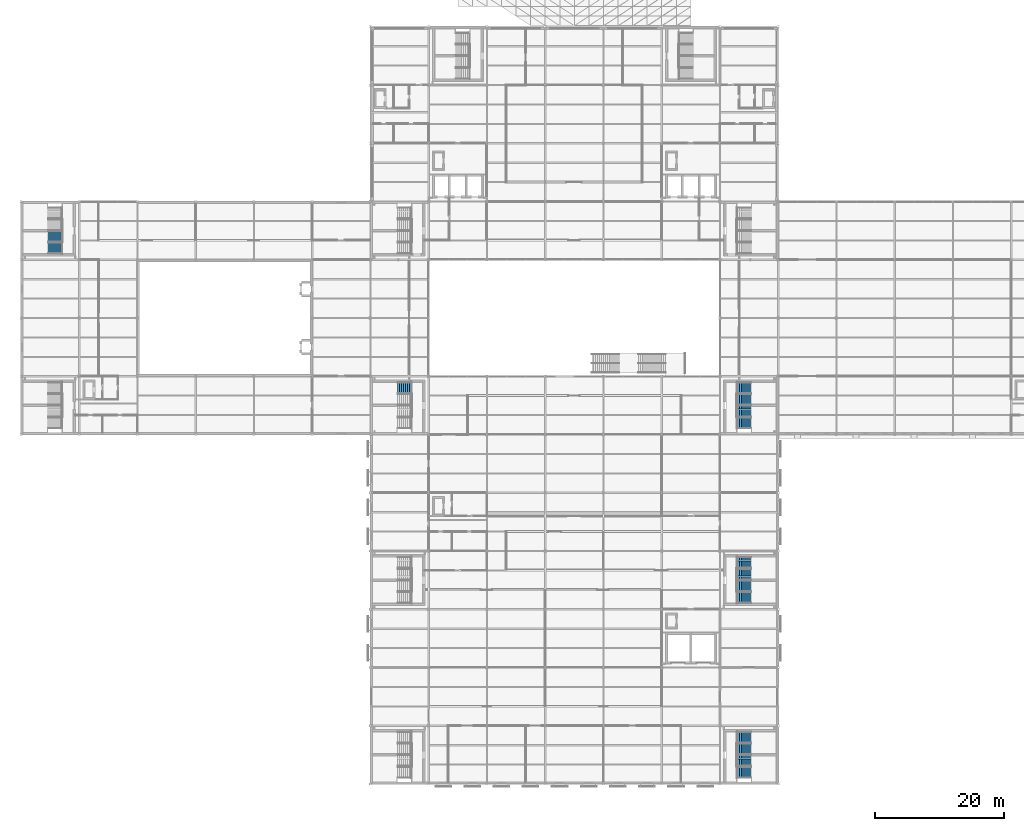
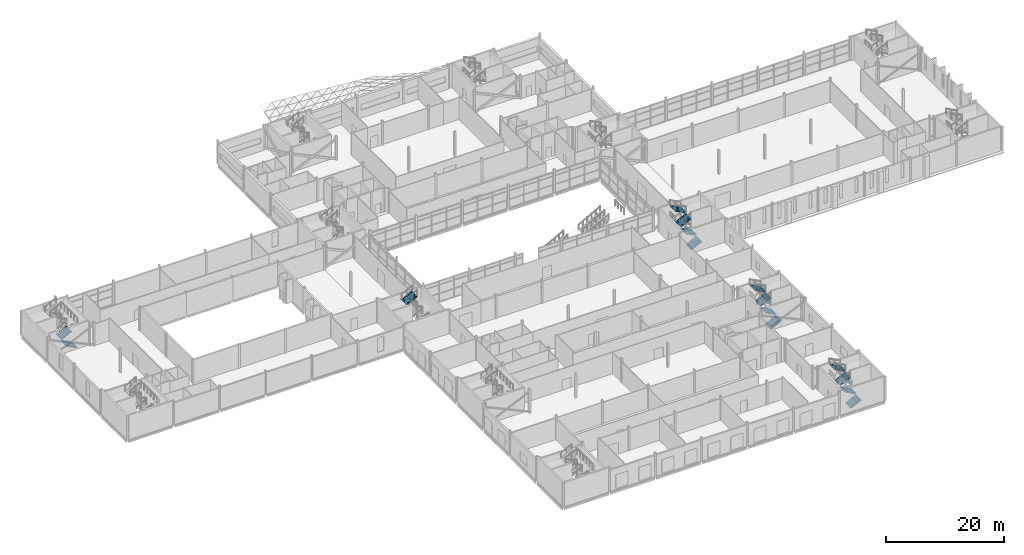
# One storey, part 91 of 112: 15 stair flights, 5 elements without a shape of their own.
"""IFC4 building model written with IfcOpenShell, lengths in metres."""

from ifc_helpers import new_model, si_unit, direction, frame, origin, place, context, subcontext, project, spatial, polyline, outline, extrude, material, type_object, element, aggregate, save


model = new_model("IFC4")

# Units and contexts
model_context = context("Model", 3, precision=1e-05, world=origin(), true_north=direction((0.0, 1.0)))
body_context = subcontext(model_context, "Body", "Model", "MODEL_VIEW")
ifc_project = project(units=[si_unit("LENGTHUNIT", "METRE"), si_unit("AREAUNIT", "SQUARE_METRE"), si_unit("VOLUMEUNIT", "CUBIC_METRE"), si_unit("PLANEANGLEUNIT", "RADIAN"), si_unit("MASSUNIT", "GRAM", prefix="KILO")], contexts=[model_context])

# Site, building, storey
site_placement = place(None, origin())
site = spatial("IfcSite", under=ifc_project, at=site_placement, CompositionType="ELEMENT")
building_placement = place(site_placement, origin())
building = spatial("IfcBuilding", under=site, at=building_placement, Name="Shorebreak Coast Museum", CompositionType="ELEMENT")
storey_placement = place(building_placement, frame((0.0, 0.0, 6.0)))
storey = spatial("IfcBuildingStorey", under=building, at=storey_placement, Name="L01", CompositionType="ELEMENT", Elevation=6.0)

# Stair, stair flight
ifc_material_1 = material(Name="Concrete N40 (40 MPa)", Category="concrete")
stair_type = type_object("IfcStairType", Name="Stair run 5 m", PredefinedType="DOUBLE_RETURN_STAIR", material=ifc_material_1)
stair_1_placement = place(storey_placement, origin())
stair_1 = element("IfcStair", 1, at=stair_1_placement, inside=storey, type_object=stair_type, Name="Exit stair ST01-L01", PredefinedType="DOUBLE_RETURN_STAIR")
ifc_material_2 = material(Name="Concrete N40 (40 MPa)", Category="concrete")
stair_flight_type = type_object("IfcStairFlightType", Name="Stair flight 8 risers 156.25", PredefinedType="STRAIGHT", material=ifc_material_2)
stair_flight_1_placement = place(storey_placement, frame((58.199951171875, 61.199951171875, 3.75), z_axis=(0.0, 0.0, 1.0), x_axis=(1.0, 0.0, 0.0)))
stair_flight_1 = element("IfcStairFlight", 2, at=stair_flight_1_placement, type_object=stair_flight_type, Name="ST01-L01 flight 4", NumberOfRisers=8, NumberOfTreads=7, PredefinedType="STRAIGHT", RiserHeight=0.15625, TreadLength=0.3, context=body_context, shape_type="SweptSolid", body=[
    extrude(outline(polyline([(0.0, 0.0), (0.0, 0.15625), (0.300048828125, 0.15625), (0.300048828125, 0.3125), (0.60009765625, 0.3125), (0.60009765625, 0.46875), (0.89990234375, 0.46875), (0.89990234375, 0.625), (1.199951171875, 0.625), (1.199951171875, 0.78125), (1.5, 0.78125), (1.5, 0.9375), (1.800048828125, 0.9375), (1.800048828125, 1.09375), (2.10009765625, 1.09375), (2.10009765625, 1.25), (2.10009765625, 0.9248046875), (0.324462890625, 0.0), (0.0, 0.0)])), frame((0.0, 0.89990234375, 0.0), z_axis=(0.0, -1.0, 0.0), x_axis=(1.0, 0.0, 0.0)), (0.0, 0.0, 1.0), 0.59326171875),
    extrude(outline(polyline([(0.0, 0.0), (0.0, 0.15625), (0.300048828125, 0.15625), (0.300048828125, 0.3125), (0.60009765625, 0.3125), (0.60009765625, 0.46875), (0.89990234375, 0.46875), (0.89990234375, 0.625), (1.199951171875, 0.625), (1.199951171875, 0.78125), (1.5, 0.78125), (1.5, 0.9375), (1.800048828125, 0.9375), (1.800048828125, 1.09375), (2.10009765625, 1.09375), (2.10009765625, 1.25), (2.10009765625, 0.9248046875), (0.324462890625, 0.0), (0.0, 0.0)])), frame((0.0, 0.296630859375, 0.0), z_axis=(0.0, -1.0, 0.0), x_axis=(1.0, 0.0, 0.0)), (0.0, 0.0, 1.0), 0.59326171875),
    extrude(outline(polyline([(0.0, 0.0), (0.0, 0.15625), (0.300048828125, 0.15625), (0.300048828125, 0.3125), (0.60009765625, 0.3125), (0.60009765625, 0.46875), (0.89990234375, 0.46875), (0.89990234375, 0.625), (1.199951171875, 0.625), (1.199951171875, 0.78125), (1.5, 0.78125), (1.5, 0.9375), (1.800048828125, 0.9375), (1.800048828125, 1.09375), (2.10009765625, 1.09375), (2.10009765625, 1.25), (2.10009765625, 0.9248046875), (0.324462890625, 0.0), (0.0, 0.0)])), frame((0.0, -0.306640625, 0.0), z_axis=(0.0, -1.0, 0.0), x_axis=(1.0, 0.0, 0.0)), (0.0, 0.0, 1.0), 0.59326171875),
])
aggregate(stair_1, [stair_flight_1])

# Stair, stair flights
stair_2_placement = place(storey_placement, origin())
stair_2 = element("IfcStair", 3, at=stair_2_placement, inside=storey, type_object=stair_type, Name="Exit stair ST02-L01", PredefinedType="DOUBLE_RETURN_STAIR")
stair_flight_2_placement = place(storey_placement, frame((110.699951171875, 55.800048828125, 0.0), z_axis=(0.0, 0.0, 1.0), x_axis=(1.0, 0.0, 0.0)))
stair_flight_2 = element("IfcStairFlight", 4, at=stair_flight_2_placement, type_object=stair_flight_type, Name="ST02-L01 flight 1", NumberOfRisers=8, NumberOfTreads=7, PredefinedType="STRAIGHT", RiserHeight=0.15625, TreadLength=0.3, context=body_context, shape_type="SweptSolid", body=[
    extrude(outline(polyline([(0.0, 0.0), (0.0, 0.15625), (0.300048828125, 0.15625), (0.300048828125, 0.3125), (0.60009765625, 0.3125), (0.60009765625, 0.46875), (0.89990234375, 0.46875), (0.89990234375, 0.625), (1.199951171875, 0.625), (1.199951171875, 0.78125), (1.5, 0.78125), (1.5, 0.9375), (1.800048828125, 0.9375), (1.800048828125, 1.09375), (2.10009765625, 1.09375), (2.10009765625, 1.25), (2.10009765625, 0.9248046875), (0.324462890625, 0.0), (0.0, 0.0)])), frame((0.0, 0.89990234375, 0.0), z_axis=(0.0, -1.0, 0.0), x_axis=(1.0, 0.0, 0.0)), (0.0, 0.0, 1.0), 0.59326171875),
    extrude(outline(polyline([(0.0, 0.0), (0.0, 0.15625), (0.300048828125, 0.15625), (0.300048828125, 0.3125), (0.60009765625, 0.3125), (0.60009765625, 0.46875), (0.89990234375, 0.46875), (0.89990234375, 0.625), (1.199951171875, 0.625), (1.199951171875, 0.78125), (1.5, 0.78125), (1.5, 0.9375), (1.800048828125, 0.9375), (1.800048828125, 1.09375), (2.10009765625, 1.09375), (2.10009765625, 1.25), (2.10009765625, 0.9248046875), (0.324462890625, 0.0), (0.0, 0.0)])), frame((0.0, 0.296630859375, 0.0), z_axis=(0.0, -1.0, 0.0), x_axis=(1.0, 0.0, 0.0)), (0.0, 0.0, 1.0), 0.59326171875),
    extrude(outline(polyline([(0.0, 0.0), (0.0, 0.15625), (0.300048828125, 0.15625), (0.300048828125, 0.3125), (0.60009765625, 0.3125), (0.60009765625, 0.46875), (0.89990234375, 0.46875), (0.89990234375, 0.625), (1.199951171875, 0.625), (1.199951171875, 0.78125), (1.5, 0.78125), (1.5, 0.9375), (1.800048828125, 0.9375), (1.800048828125, 1.09375), (2.10009765625, 1.09375), (2.10009765625, 1.25), (2.10009765625, 0.9248046875), (0.324462890625, 0.0), (0.0, 0.0)])), frame((0.0, -0.306640625, 0.0), z_axis=(0.0, -1.0, 0.0), x_axis=(1.0, 0.0, 0.0)), (0.0, 0.0, 1.0), 0.59326171875),
])
stair_flight_3_placement = place(storey_placement, frame((112.800048828125, 57.60009765625, 1.25), z_axis=(0.0, 0.0, 1.0), x_axis=(-1.0, 0.0, 0.0)))
stair_flight_3 = element("IfcStairFlight", 5, at=stair_flight_3_placement, type_object=stair_flight_type, Name="ST02-L01 flight 2", NumberOfRisers=8, NumberOfTreads=7, PredefinedType="STRAIGHT", RiserHeight=0.15625, TreadLength=0.3, context=body_context, shape_type="SweptSolid", body=[
    extrude(outline(polyline([(0.0, 0.0), (0.0, 0.15625), (0.300048828125, 0.15625), (0.300048828125, 0.3125), (0.60009765625, 0.3125), (0.60009765625, 0.46875), (0.89990234375, 0.46875), (0.89990234375, 0.625), (1.199951171875, 0.625), (1.199951171875, 0.78125), (1.5, 0.78125), (1.5, 0.9375), (1.800048828125, 0.9375), (1.800048828125, 1.09375), (2.10009765625, 1.09375), (2.10009765625, 1.25), (2.10009765625, 0.9248046875), (0.324462890625, 0.0), (0.0, 0.0)])), frame((0.0, 0.89990234375, 0.0), z_axis=(0.0, -1.0, 0.0), x_axis=(1.0, 0.0, 0.0)), (0.0, 0.0, 1.0), 0.59326171875),
    extrude(outline(polyline([(0.0, 0.0), (0.0, 0.15625), (0.300048828125, 0.15625), (0.300048828125, 0.3125), (0.60009765625, 0.3125), (0.60009765625, 0.46875), (0.89990234375, 0.46875), (0.89990234375, 0.625), (1.199951171875, 0.625), (1.199951171875, 0.78125), (1.5, 0.78125), (1.5, 0.9375), (1.800048828125, 0.9375), (1.800048828125, 1.09375), (2.10009765625, 1.09375), (2.10009765625, 1.25), (2.10009765625, 0.9248046875), (0.324462890625, 0.0), (0.0, 0.0)])), frame((0.0, 0.296630859375, 0.0), z_axis=(0.0, -1.0, 0.0), x_axis=(1.0, 0.0, 0.0)), (0.0, 0.0, 1.0), 0.59326171875),
    extrude(outline(polyline([(0.0, 0.0), (0.0, 0.15625), (0.300048828125, 0.15625), (0.300048828125, 0.3125), (0.60009765625, 0.3125), (0.60009765625, 0.46875), (0.89990234375, 0.46875), (0.89990234375, 0.625), (1.199951171875, 0.625), (1.199951171875, 0.78125), (1.5, 0.78125), (1.5, 0.9375), (1.800048828125, 0.9375), (1.800048828125, 1.09375), (2.10009765625, 1.09375), (2.10009765625, 1.25), (2.10009765625, 0.9248046875), (0.324462890625, 0.0), (0.0, 0.0)])), frame((0.0, -0.306640625, 0.0), z_axis=(0.0, -1.0, 0.0), x_axis=(1.0, 0.0, 0.0)), (0.0, 0.0, 1.0), 0.59326171875),
])
stair_flight_4_placement = place(storey_placement, frame((110.699951171875, 59.39990234375, 2.5), z_axis=(0.0, 0.0, 1.0), x_axis=(1.0, 0.0, 0.0)))
stair_flight_4 = element("IfcStairFlight", 6, at=stair_flight_4_placement, type_object=stair_flight_type, Name="ST02-L01 flight 3", NumberOfRisers=8, NumberOfTreads=7, PredefinedType="STRAIGHT", RiserHeight=0.15625, TreadLength=0.3, context=body_context, shape_type="SweptSolid", body=[
    extrude(outline(polyline([(0.0, 0.0), (0.0, 0.15625), (0.300048828125, 0.15625), (0.300048828125, 0.3125), (0.60009765625, 0.3125), (0.60009765625, 0.46875), (0.89990234375, 0.46875), (0.89990234375, 0.625), (1.199951171875, 0.625), (1.199951171875, 0.78125), (1.5, 0.78125), (1.5, 0.9375), (1.800048828125, 0.9375), (1.800048828125, 1.09375), (2.10009765625, 1.09375), (2.10009765625, 1.25), (2.10009765625, 0.9248046875), (0.324462890625, 0.0), (0.0, 0.0)])), frame((0.0, 0.89990234375, 0.0), z_axis=(0.0, -1.0, 0.0), x_axis=(1.0, 0.0, 0.0)), (0.0, 0.0, 1.0), 0.59326171875),
    extrude(outline(polyline([(0.0, 0.0), (0.0, 0.15625), (0.300048828125, 0.15625), (0.300048828125, 0.3125), (0.60009765625, 0.3125), (0.60009765625, 0.46875), (0.89990234375, 0.46875), (0.89990234375, 0.625), (1.199951171875, 0.625), (1.199951171875, 0.78125), (1.5, 0.78125), (1.5, 0.9375), (1.800048828125, 0.9375), (1.800048828125, 1.09375), (2.10009765625, 1.09375), (2.10009765625, 1.25), (2.10009765625, 0.9248046875), (0.324462890625, 0.0), (0.0, 0.0)])), frame((0.0, 0.296630859375, 0.0), z_axis=(0.0, -1.0, 0.0), x_axis=(1.0, 0.0, 0.0)), (0.0, 0.0, 1.0), 0.59326171875),
    extrude(outline(polyline([(0.0, 0.0), (0.0, 0.15625), (0.300048828125, 0.15625), (0.300048828125, 0.3125), (0.60009765625, 0.3125), (0.60009765625, 0.46875), (0.89990234375, 0.46875), (0.89990234375, 0.625), (1.199951171875, 0.625), (1.199951171875, 0.78125), (1.5, 0.78125), (1.5, 0.9375), (1.800048828125, 0.9375), (1.800048828125, 1.09375), (2.10009765625, 1.09375), (2.10009765625, 1.25), (2.10009765625, 0.9248046875), (0.324462890625, 0.0), (0.0, 0.0)])), frame((0.0, -0.306640625, 0.0), z_axis=(0.0, -1.0, 0.0), x_axis=(1.0, 0.0, 0.0)), (0.0, 0.0, 1.0), 0.59326171875),
])
stair_flight_5_placement = place(storey_placement, frame((112.800048828125, 61.199951171875, 3.75), z_axis=(0.0, 0.0, 1.0), x_axis=(-1.0, 0.0, 0.0)))
stair_flight_5 = element("IfcStairFlight", 7, at=stair_flight_5_placement, type_object=stair_flight_type, Name="ST02-L01 flight 4", NumberOfRisers=8, NumberOfTreads=7, PredefinedType="STRAIGHT", RiserHeight=0.15625, TreadLength=0.3, context=body_context, shape_type="SweptSolid", body=[
    extrude(outline(polyline([(0.0, 0.0), (0.0, 0.15625), (0.300048828125, 0.15625), (0.300048828125, 0.3125), (0.60009765625, 0.3125), (0.60009765625, 0.46875), (0.89990234375, 0.46875), (0.89990234375, 0.625), (1.199951171875, 0.625), (1.199951171875, 0.78125), (1.5, 0.78125), (1.5, 0.9375), (1.800048828125, 0.9375), (1.800048828125, 1.09375), (2.10009765625, 1.09375), (2.10009765625, 1.25), (2.10009765625, 0.9248046875), (0.324462890625, 0.0), (0.0, 0.0)])), frame((0.0, 0.89990234375, 0.0), z_axis=(0.0, -1.0, 0.0), x_axis=(1.0, 0.0, 0.0)), (0.0, 0.0, 1.0), 0.59326171875),
    extrude(outline(polyline([(0.0, 0.0), (0.0, 0.15625), (0.300048828125, 0.15625), (0.300048828125, 0.3125), (0.60009765625, 0.3125), (0.60009765625, 0.46875), (0.89990234375, 0.46875), (0.89990234375, 0.625), (1.199951171875, 0.625), (1.199951171875, 0.78125), (1.5, 0.78125), (1.5, 0.9375), (1.800048828125, 0.9375), (1.800048828125, 1.09375), (2.10009765625, 1.09375), (2.10009765625, 1.25), (2.10009765625, 0.9248046875), (0.324462890625, 0.0), (0.0, 0.0)])), frame((0.0, 0.296630859375, 0.0), z_axis=(0.0, -1.0, 0.0), x_axis=(1.0, 0.0, 0.0)), (0.0, 0.0, 1.0), 0.59326171875),
    extrude(outline(polyline([(0.0, 0.0), (0.0, 0.15625), (0.300048828125, 0.15625), (0.300048828125, 0.3125), (0.60009765625, 0.3125), (0.60009765625, 0.46875), (0.89990234375, 0.46875), (0.89990234375, 0.625), (1.199951171875, 0.625), (1.199951171875, 0.78125), (1.5, 0.78125), (1.5, 0.9375), (1.800048828125, 0.9375), (1.800048828125, 1.09375), (2.10009765625, 1.09375), (2.10009765625, 1.25), (2.10009765625, 0.9248046875), (0.324462890625, 0.0), (0.0, 0.0)])), frame((0.0, -0.306640625, 0.0), z_axis=(0.0, -1.0, 0.0), x_axis=(1.0, 0.0, 0.0)), (0.0, 0.0, 1.0), 0.59326171875),
])
aggregate(stair_2, [stair_flight_2, stair_flight_3, stair_flight_4, stair_flight_5])

stair_3_placement = place(storey_placement, origin())
stair_3 = element("IfcStair", 8, at=stair_3_placement, inside=storey, type_object=stair_type, Name="Exit stair ST06-L01", PredefinedType="DOUBLE_RETURN_STAIR")
stair_flight_6_placement = place(storey_placement, frame((6.300048828125, 82.800048828125, 0.0), z_axis=(0.0, 0.0, 1.0), x_axis=(-1.0, 0.0, 0.0)))
stair_flight_6 = element("IfcStairFlight", 9, at=stair_flight_6_placement, type_object=stair_flight_type, Name="ST06-L01 flight 1", NumberOfRisers=8, NumberOfTreads=7, PredefinedType="STRAIGHT", RiserHeight=0.15625, TreadLength=0.3, context=body_context, shape_type="SweptSolid", body=[
    extrude(outline(polyline([(0.0, 0.0), (0.0, 0.15625), (0.300048828125, 0.15625), (0.300048828125, 0.3125), (0.60009765625, 0.3125), (0.60009765625, 0.46875), (0.89990234375, 0.46875), (0.89990234375, 0.625), (1.199951171875, 0.625), (1.199951171875, 0.78125), (1.5, 0.78125), (1.5, 0.9375), (1.800048828125, 0.9375), (1.800048828125, 1.09375), (2.10009765625, 1.09375), (2.10009765625, 1.25), (2.10009765625, 0.9248046875), (0.324462890625, 0.0), (0.0, 0.0)])), frame((0.0, 0.89990234375, 0.0), z_axis=(0.0, -1.0, 0.0), x_axis=(1.0, 0.0, 0.0)), (0.0, 0.0, 1.0), 0.59326171875),
    extrude(outline(polyline([(0.0, 0.0), (0.0, 0.15625), (0.300048828125, 0.15625), (0.300048828125, 0.3125), (0.60009765625, 0.3125), (0.60009765625, 0.46875), (0.89990234375, 0.46875), (0.89990234375, 0.625), (1.199951171875, 0.625), (1.199951171875, 0.78125), (1.5, 0.78125), (1.5, 0.9375), (1.800048828125, 0.9375), (1.800048828125, 1.09375), (2.10009765625, 1.09375), (2.10009765625, 1.25), (2.10009765625, 0.9248046875), (0.324462890625, 0.0), (0.0, 0.0)])), frame((0.0, 0.296630859375, 0.0), z_axis=(0.0, -1.0, 0.0), x_axis=(1.0, 0.0, 0.0)), (0.0, 0.0, 1.0), 0.59326171875),
    extrude(outline(polyline([(0.0, 0.0), (0.0, 0.15625), (0.300048828125, 0.15625), (0.300048828125, 0.3125), (0.60009765625, 0.3125), (0.60009765625, 0.46875), (0.89990234375, 0.46875), (0.89990234375, 0.625), (1.199951171875, 0.625), (1.199951171875, 0.78125), (1.5, 0.78125), (1.5, 0.9375), (1.800048828125, 0.9375), (1.800048828125, 1.09375), (2.10009765625, 1.09375), (2.10009765625, 1.25), (2.10009765625, 0.9248046875), (0.324462890625, 0.0), (0.0, 0.0)])), frame((0.0, -0.306640625, 0.0), z_axis=(0.0, -1.0, 0.0), x_axis=(1.0, 0.0, 0.0)), (0.0, 0.0, 1.0), 0.59326171875),
])
stair_flight_7_placement = place(storey_placement, frame((4.199951171875, 84.60009765625, 1.25), z_axis=(0.0, 0.0, 1.0), x_axis=(1.0, 0.0, 0.0)))
stair_flight_7 = element("IfcStairFlight", 10, at=stair_flight_7_placement, type_object=stair_flight_type, Name="ST06-L01 flight 2", NumberOfRisers=8, NumberOfTreads=7, PredefinedType="STRAIGHT", RiserHeight=0.15625, TreadLength=0.3, context=body_context, shape_type="SweptSolid", body=[
    extrude(outline(polyline([(0.0, 0.0), (0.0, 0.15625), (0.300048828125, 0.15625), (0.300048828125, 0.3125), (0.60009765625, 0.3125), (0.60009765625, 0.46875), (0.89990234375, 0.46875), (0.89990234375, 0.625), (1.199951171875, 0.625), (1.199951171875, 0.78125), (1.5, 0.78125), (1.5, 0.9375), (1.800048828125, 0.9375), (1.800048828125, 1.09375), (2.10009765625, 1.09375), (2.10009765625, 1.25), (2.10009765625, 0.9248046875), (0.324462890625, 0.0), (0.0, 0.0)])), frame((0.0, 0.89990234375, 0.0), z_axis=(0.0, -1.0, 0.0), x_axis=(1.0, 0.0, 0.0)), (0.0, 0.0, 1.0), 0.59326171875),
    extrude(outline(polyline([(0.0, 0.0), (0.0, 0.15625), (0.300048828125, 0.15625), (0.300048828125, 0.3125), (0.60009765625, 0.3125), (0.60009765625, 0.46875), (0.89990234375, 0.46875), (0.89990234375, 0.625), (1.199951171875, 0.625), (1.199951171875, 0.78125), (1.5, 0.78125), (1.5, 0.9375), (1.800048828125, 0.9375), (1.800048828125, 1.09375), (2.10009765625, 1.09375), (2.10009765625, 1.25), (2.10009765625, 0.9248046875), (0.324462890625, 0.0), (0.0, 0.0)])), frame((0.0, 0.296630859375, 0.0), z_axis=(0.0, -1.0, 0.0), x_axis=(1.0, 0.0, 0.0)), (0.0, 0.0, 1.0), 0.59326171875),
    extrude(outline(polyline([(0.0, 0.0), (0.0, 0.15625), (0.300048828125, 0.15625), (0.300048828125, 0.3125), (0.60009765625, 0.3125), (0.60009765625, 0.46875), (0.89990234375, 0.46875), (0.89990234375, 0.625), (1.199951171875, 0.625), (1.199951171875, 0.78125), (1.5, 0.78125), (1.5, 0.9375), (1.800048828125, 0.9375), (1.800048828125, 1.09375), (2.10009765625, 1.09375), (2.10009765625, 1.25), (2.10009765625, 0.9248046875), (0.324462890625, 0.0), (0.0, 0.0)])), frame((0.0, -0.306640625, 0.0), z_axis=(0.0, -1.0, 0.0), x_axis=(1.0, 0.0, 0.0)), (0.0, 0.0, 1.0), 0.59326171875),
])
aggregate(stair_3, [stair_flight_6, stair_flight_7])

stair_4_placement = place(storey_placement, origin())
stair_4 = element("IfcStair", 11, at=stair_4_placement, inside=storey, type_object=stair_type, Name="Exit stair ST12-L01", PredefinedType="DOUBLE_RETURN_STAIR")
stair_flight_8_placement = place(storey_placement, frame((110.699951171875, 1.800048828125, 0.0), z_axis=(0.0, 0.0, 1.0), x_axis=(1.0, 0.0, 0.0)))
stair_flight_8 = element("IfcStairFlight", 12, at=stair_flight_8_placement, type_object=stair_flight_type, Name="ST12-L01 flight 1", NumberOfRisers=8, NumberOfTreads=7, PredefinedType="STRAIGHT", RiserHeight=0.15625, TreadLength=0.3, context=body_context, shape_type="SweptSolid", body=[
    extrude(outline(polyline([(0.0, 0.0), (0.0, 0.15625), (0.300048828125, 0.15625), (0.300048828125, 0.3125), (0.60009765625, 0.3125), (0.60009765625, 0.46875), (0.89990234375, 0.46875), (0.89990234375, 0.625), (1.199951171875, 0.625), (1.199951171875, 0.78125), (1.5, 0.78125), (1.5, 0.9375), (1.800048828125, 0.9375), (1.800048828125, 1.09375), (2.10009765625, 1.09375), (2.10009765625, 1.25), (2.10009765625, 0.9248046875), (0.324462890625, 0.0), (0.0, 0.0)])), frame((0.0, 0.89990234375, 0.0), z_axis=(0.0, -1.0, 0.0), x_axis=(1.0, 0.0, 0.0)), (0.0, 0.0, 1.0), 0.59326171875),
    extrude(outline(polyline([(0.0, 0.0), (0.0, 0.15625), (0.300048828125, 0.15625), (0.300048828125, 0.3125), (0.60009765625, 0.3125), (0.60009765625, 0.46875), (0.89990234375, 0.46875), (0.89990234375, 0.625), (1.199951171875, 0.625), (1.199951171875, 0.78125), (1.5, 0.78125), (1.5, 0.9375), (1.800048828125, 0.9375), (1.800048828125, 1.09375), (2.10009765625, 1.09375), (2.10009765625, 1.25), (2.10009765625, 0.9248046875), (0.324462890625, 0.0), (0.0, 0.0)])), frame((0.0, 0.296630859375, 0.0), z_axis=(0.0, -1.0, 0.0), x_axis=(1.0, 0.0, 0.0)), (0.0, 0.0, 1.0), 0.59326171875),
    extrude(outline(polyline([(0.0, 0.0), (0.0, 0.15625), (0.300048828125, 0.15625), (0.300048828125, 0.3125), (0.60009765625, 0.3125), (0.60009765625, 0.46875), (0.89990234375, 0.46875), (0.89990234375, 0.625), (1.199951171875, 0.625), (1.199951171875, 0.78125), (1.5, 0.78125), (1.5, 0.9375), (1.800048828125, 0.9375), (1.800048828125, 1.09375), (2.10009765625, 1.09375), (2.10009765625, 1.25), (2.10009765625, 0.9248046875), (0.324462890625, 0.0), (0.0, 0.0)])), frame((0.0, -0.306640625, 0.0), z_axis=(0.0, -1.0, 0.0), x_axis=(1.0, 0.0, 0.0)), (0.0, 0.0, 1.0), 0.59326171875),
])
stair_flight_9_placement = place(storey_placement, frame((112.800048828125, 3.60009765625, 1.25), z_axis=(0.0, 0.0, 1.0), x_axis=(-1.0, 0.0, 0.0)))
stair_flight_9 = element("IfcStairFlight", 13, at=stair_flight_9_placement, type_object=stair_flight_type, Name="ST12-L01 flight 2", NumberOfRisers=8, NumberOfTreads=7, PredefinedType="STRAIGHT", RiserHeight=0.15625, TreadLength=0.3, context=body_context, shape_type="SweptSolid", body=[
    extrude(outline(polyline([(0.0, 0.0), (0.0, 0.15625), (0.300048828125, 0.15625), (0.300048828125, 0.3125), (0.60009765625, 0.3125), (0.60009765625, 0.46875), (0.89990234375, 0.46875), (0.89990234375, 0.625), (1.199951171875, 0.625), (1.199951171875, 0.78125), (1.5, 0.78125), (1.5, 0.9375), (1.800048828125, 0.9375), (1.800048828125, 1.09375), (2.10009765625, 1.09375), (2.10009765625, 1.25), (2.10009765625, 0.9248046875), (0.324462890625, 0.0), (0.0, 0.0)])), frame((0.0, 0.89990234375, 0.0), z_axis=(0.0, -1.0, 0.0), x_axis=(1.0, 0.0, 0.0)), (0.0, 0.0, 1.0), 0.59326171875),
    extrude(outline(polyline([(0.0, 0.0), (0.0, 0.15625), (0.300048828125, 0.15625), (0.300048828125, 0.3125), (0.60009765625, 0.3125), (0.60009765625, 0.46875), (0.89990234375, 0.46875), (0.89990234375, 0.625), (1.199951171875, 0.625), (1.199951171875, 0.78125), (1.5, 0.78125), (1.5, 0.9375), (1.800048828125, 0.9375), (1.800048828125, 1.09375), (2.10009765625, 1.09375), (2.10009765625, 1.25), (2.10009765625, 0.9248046875), (0.324462890625, 0.0), (0.0, 0.0)])), frame((0.0, 0.296630859375, 0.0), z_axis=(0.0, -1.0, 0.0), x_axis=(1.0, 0.0, 0.0)), (0.0, 0.0, 1.0), 0.59326171875),
    extrude(outline(polyline([(0.0, 0.0), (0.0, 0.15625), (0.300048828125, 0.15625), (0.300048828125, 0.3125), (0.60009765625, 0.3125), (0.60009765625, 0.46875), (0.89990234375, 0.46875), (0.89990234375, 0.625), (1.199951171875, 0.625), (1.199951171875, 0.78125), (1.5, 0.78125), (1.5, 0.9375), (1.800048828125, 0.9375), (1.800048828125, 1.09375), (2.10009765625, 1.09375), (2.10009765625, 1.25), (2.10009765625, 0.9248046875), (0.324462890625, 0.0), (0.0, 0.0)])), frame((0.0, -0.306640625, 0.0), z_axis=(0.0, -1.0, 0.0), x_axis=(1.0, 0.0, 0.0)), (0.0, 0.0, 1.0), 0.59326171875),
])
stair_flight_10_placement = place(storey_placement, frame((110.699951171875, 5.39990234375, 2.5), z_axis=(0.0, 0.0, 1.0), x_axis=(1.0, 0.0, 0.0)))
stair_flight_10 = element("IfcStairFlight", 14, at=stair_flight_10_placement, type_object=stair_flight_type, Name="ST12-L01 flight 3", NumberOfRisers=8, NumberOfTreads=7, PredefinedType="STRAIGHT", RiserHeight=0.15625, TreadLength=0.3, context=body_context, shape_type="SweptSolid", body=[
    extrude(outline(polyline([(0.0, 0.0), (0.0, 0.15625), (0.300048828125, 0.15625), (0.300048828125, 0.3125), (0.60009765625, 0.3125), (0.60009765625, 0.46875), (0.89990234375, 0.46875), (0.89990234375, 0.625), (1.199951171875, 0.625), (1.199951171875, 0.78125), (1.5, 0.78125), (1.5, 0.9375), (1.800048828125, 0.9375), (1.800048828125, 1.09375), (2.10009765625, 1.09375), (2.10009765625, 1.25), (2.10009765625, 0.9248046875), (0.324462890625, 0.0), (0.0, 0.0)])), frame((0.0, 0.89990234375, 0.0), z_axis=(0.0, -1.0, 0.0), x_axis=(1.0, 0.0, 0.0)), (0.0, 0.0, 1.0), 0.59326171875),
    extrude(outline(polyline([(0.0, 0.0), (0.0, 0.15625), (0.300048828125, 0.15625), (0.300048828125, 0.3125), (0.60009765625, 0.3125), (0.60009765625, 0.46875), (0.89990234375, 0.46875), (0.89990234375, 0.625), (1.199951171875, 0.625), (1.199951171875, 0.78125), (1.5, 0.78125), (1.5, 0.9375), (1.800048828125, 0.9375), (1.800048828125, 1.09375), (2.10009765625, 1.09375), (2.10009765625, 1.25), (2.10009765625, 0.9248046875), (0.324462890625, 0.0), (0.0, 0.0)])), frame((0.0, 0.296630859375, 0.0), z_axis=(0.0, -1.0, 0.0), x_axis=(1.0, 0.0, 0.0)), (0.0, 0.0, 1.0), 0.59326171875),
    extrude(outline(polyline([(0.0, 0.0), (0.0, 0.15625), (0.300048828125, 0.15625), (0.300048828125, 0.3125), (0.60009765625, 0.3125), (0.60009765625, 0.46875), (0.89990234375, 0.46875), (0.89990234375, 0.625), (1.199951171875, 0.625), (1.199951171875, 0.78125), (1.5, 0.78125), (1.5, 0.9375), (1.800048828125, 0.9375), (1.800048828125, 1.09375), (2.10009765625, 1.09375), (2.10009765625, 1.25), (2.10009765625, 0.9248046875), (0.324462890625, 0.0), (0.0, 0.0)])), frame((0.0, -0.306640625, 0.0), z_axis=(0.0, -1.0, 0.0), x_axis=(1.0, 0.0, 0.0)), (0.0, 0.0, 1.0), 0.59326171875),
])
stair_flight_11_placement = place(storey_placement, frame((112.800048828125, 7.199951171875, 3.75), z_axis=(0.0, 0.0, 1.0), x_axis=(-1.0, 0.0, 0.0)))
stair_flight_11 = element("IfcStairFlight", 15, at=stair_flight_11_placement, type_object=stair_flight_type, Name="ST12-L01 flight 4", NumberOfRisers=8, NumberOfTreads=7, PredefinedType="STRAIGHT", RiserHeight=0.15625, TreadLength=0.3, context=body_context, shape_type="SweptSolid", body=[
    extrude(outline(polyline([(0.0, 0.0), (0.0, 0.15625), (0.300048828125, 0.15625), (0.300048828125, 0.3125), (0.60009765625, 0.3125), (0.60009765625, 0.46875), (0.89990234375, 0.46875), (0.89990234375, 0.625), (1.199951171875, 0.625), (1.199951171875, 0.78125), (1.5, 0.78125), (1.5, 0.9375), (1.800048828125, 0.9375), (1.800048828125, 1.09375), (2.10009765625, 1.09375), (2.10009765625, 1.25), (2.10009765625, 0.9248046875), (0.324462890625, 0.0), (0.0, 0.0)])), frame((0.0, 0.89990234375, 0.0), z_axis=(0.0, -1.0, 0.0), x_axis=(1.0, 0.0, 0.0)), (0.0, 0.0, 1.0), 0.59326171875),
    extrude(outline(polyline([(0.0, 0.0), (0.0, 0.15625), (0.300048828125, 0.15625), (0.300048828125, 0.3125), (0.60009765625, 0.3125), (0.60009765625, 0.46875), (0.89990234375, 0.46875), (0.89990234375, 0.625), (1.199951171875, 0.625), (1.199951171875, 0.78125), (1.5, 0.78125), (1.5, 0.9375), (1.800048828125, 0.9375), (1.800048828125, 1.09375), (2.10009765625, 1.09375), (2.10009765625, 1.25), (2.10009765625, 0.9248046875), (0.324462890625, 0.0), (0.0, 0.0)])), frame((0.0, 0.296630859375, 0.0), z_axis=(0.0, -1.0, 0.0), x_axis=(1.0, 0.0, 0.0)), (0.0, 0.0, 1.0), 0.59326171875),
    extrude(outline(polyline([(0.0, 0.0), (0.0, 0.15625), (0.300048828125, 0.15625), (0.300048828125, 0.3125), (0.60009765625, 0.3125), (0.60009765625, 0.46875), (0.89990234375, 0.46875), (0.89990234375, 0.625), (1.199951171875, 0.625), (1.199951171875, 0.78125), (1.5, 0.78125), (1.5, 0.9375), (1.800048828125, 0.9375), (1.800048828125, 1.09375), (2.10009765625, 1.09375), (2.10009765625, 1.25), (2.10009765625, 0.9248046875), (0.324462890625, 0.0), (0.0, 0.0)])), frame((0.0, -0.306640625, 0.0), z_axis=(0.0, -1.0, 0.0), x_axis=(1.0, 0.0, 0.0)), (0.0, 0.0, 1.0), 0.59326171875),
])
aggregate(stair_4, [stair_flight_8, stair_flight_9, stair_flight_10, stair_flight_11])

stair_5_placement = place(storey_placement, origin())
stair_5 = element("IfcStair", 16, at=stair_5_placement, inside=storey, type_object=stair_type, Name="Exit stair ST14-L01", PredefinedType="DOUBLE_RETURN_STAIR")
stair_flight_12_placement = place(storey_placement, frame((110.699951171875, 28.800048828125, 0.0), z_axis=(0.0, 0.0, 1.0), x_axis=(1.0, 0.0, 0.0)))
stair_flight_12 = element("IfcStairFlight", 17, at=stair_flight_12_placement, type_object=stair_flight_type, Name="ST14-L01 flight 1", NumberOfRisers=8, NumberOfTreads=7, PredefinedType="STRAIGHT", RiserHeight=0.15625, TreadLength=0.3, context=body_context, shape_type="SweptSolid", body=[
    extrude(outline(polyline([(0.0, 0.0), (0.0, 0.15625), (0.300048828125, 0.15625), (0.300048828125, 0.3125), (0.60009765625, 0.3125), (0.60009765625, 0.46875), (0.89990234375, 0.46875), (0.89990234375, 0.625), (1.199951171875, 0.625), (1.199951171875, 0.78125), (1.5, 0.78125), (1.5, 0.9375), (1.800048828125, 0.9375), (1.800048828125, 1.09375), (2.10009765625, 1.09375), (2.10009765625, 1.25), (2.10009765625, 0.9248046875), (0.324462890625, 0.0), (0.0, 0.0)])), frame((0.0, 0.89990234375, 0.0), z_axis=(0.0, -1.0, 0.0), x_axis=(1.0, 0.0, 0.0)), (0.0, 0.0, 1.0), 0.59326171875),
    extrude(outline(polyline([(0.0, 0.0), (0.0, 0.15625), (0.300048828125, 0.15625), (0.300048828125, 0.3125), (0.60009765625, 0.3125), (0.60009765625, 0.46875), (0.89990234375, 0.46875), (0.89990234375, 0.625), (1.199951171875, 0.625), (1.199951171875, 0.78125), (1.5, 0.78125), (1.5, 0.9375), (1.800048828125, 0.9375), (1.800048828125, 1.09375), (2.10009765625, 1.09375), (2.10009765625, 1.25), (2.10009765625, 0.9248046875), (0.324462890625, 0.0), (0.0, 0.0)])), frame((0.0, 0.296630859375, 0.0), z_axis=(0.0, -1.0, 0.0), x_axis=(1.0, 0.0, 0.0)), (0.0, 0.0, 1.0), 0.59326171875),
    extrude(outline(polyline([(0.0, 0.0), (0.0, 0.15625), (0.300048828125, 0.15625), (0.300048828125, 0.3125), (0.60009765625, 0.3125), (0.60009765625, 0.46875), (0.89990234375, 0.46875), (0.89990234375, 0.625), (1.199951171875, 0.625), (1.199951171875, 0.78125), (1.5, 0.78125), (1.5, 0.9375), (1.800048828125, 0.9375), (1.800048828125, 1.09375), (2.10009765625, 1.09375), (2.10009765625, 1.25), (2.10009765625, 0.9248046875), (0.324462890625, 0.0), (0.0, 0.0)])), frame((0.0, -0.306640625, 0.0), z_axis=(0.0, -1.0, 0.0), x_axis=(1.0, 0.0, 0.0)), (0.0, 0.0, 1.0), 0.59326171875),
])
stair_flight_13_placement = place(storey_placement, frame((112.800048828125, 30.60009765625, 1.25), z_axis=(0.0, 0.0, 1.0), x_axis=(-1.0, 0.0, 0.0)))
stair_flight_13 = element("IfcStairFlight", 18, at=stair_flight_13_placement, type_object=stair_flight_type, Name="ST14-L01 flight 2", NumberOfRisers=8, NumberOfTreads=7, PredefinedType="STRAIGHT", RiserHeight=0.15625, TreadLength=0.3, context=body_context, shape_type="SweptSolid", body=[
    extrude(outline(polyline([(0.0, 0.0), (0.0, 0.15625), (0.300048828125, 0.15625), (0.300048828125, 0.3125), (0.60009765625, 0.3125), (0.60009765625, 0.46875), (0.89990234375, 0.46875), (0.89990234375, 0.625), (1.199951171875, 0.625), (1.199951171875, 0.78125), (1.5, 0.78125), (1.5, 0.9375), (1.800048828125, 0.9375), (1.800048828125, 1.09375), (2.10009765625, 1.09375), (2.10009765625, 1.25), (2.10009765625, 0.9248046875), (0.324462890625, 0.0), (0.0, 0.0)])), frame((0.0, 0.89990234375, 0.0), z_axis=(0.0, -1.0, 0.0), x_axis=(1.0, 0.0, 0.0)), (0.0, 0.0, 1.0), 0.59326171875),
    extrude(outline(polyline([(0.0, 0.0), (0.0, 0.15625), (0.300048828125, 0.15625), (0.300048828125, 0.3125), (0.60009765625, 0.3125), (0.60009765625, 0.46875), (0.89990234375, 0.46875), (0.89990234375, 0.625), (1.199951171875, 0.625), (1.199951171875, 0.78125), (1.5, 0.78125), (1.5, 0.9375), (1.800048828125, 0.9375), (1.800048828125, 1.09375), (2.10009765625, 1.09375), (2.10009765625, 1.25), (2.10009765625, 0.9248046875), (0.324462890625, 0.0), (0.0, 0.0)])), frame((0.0, 0.296630859375, 0.0), z_axis=(0.0, -1.0, 0.0), x_axis=(1.0, 0.0, 0.0)), (0.0, 0.0, 1.0), 0.59326171875),
    extrude(outline(polyline([(0.0, 0.0), (0.0, 0.15625), (0.300048828125, 0.15625), (0.300048828125, 0.3125), (0.60009765625, 0.3125), (0.60009765625, 0.46875), (0.89990234375, 0.46875), (0.89990234375, 0.625), (1.199951171875, 0.625), (1.199951171875, 0.78125), (1.5, 0.78125), (1.5, 0.9375), (1.800048828125, 0.9375), (1.800048828125, 1.09375), (2.10009765625, 1.09375), (2.10009765625, 1.25), (2.10009765625, 0.9248046875), (0.324462890625, 0.0), (0.0, 0.0)])), frame((0.0, -0.306640625, 0.0), z_axis=(0.0, -1.0, 0.0), x_axis=(1.0, 0.0, 0.0)), (0.0, 0.0, 1.0), 0.59326171875),
])
stair_flight_14_placement = place(storey_placement, frame((110.699951171875, 32.39990234375, 2.5), z_axis=(0.0, 0.0, 1.0), x_axis=(1.0, 0.0, 0.0)))
stair_flight_14 = element("IfcStairFlight", 19, at=stair_flight_14_placement, type_object=stair_flight_type, Name="ST14-L01 flight 3", NumberOfRisers=8, NumberOfTreads=7, PredefinedType="STRAIGHT", RiserHeight=0.15625, TreadLength=0.3, context=body_context, shape_type="SweptSolid", body=[
    extrude(outline(polyline([(0.0, 0.0), (0.0, 0.15625), (0.300048828125, 0.15625), (0.300048828125, 0.3125), (0.60009765625, 0.3125), (0.60009765625, 0.46875), (0.89990234375, 0.46875), (0.89990234375, 0.625), (1.199951171875, 0.625), (1.199951171875, 0.78125), (1.5, 0.78125), (1.5, 0.9375), (1.800048828125, 0.9375), (1.800048828125, 1.09375), (2.10009765625, 1.09375), (2.10009765625, 1.25), (2.10009765625, 0.9248046875), (0.324462890625, 0.0), (0.0, 0.0)])), frame((0.0, 0.89990234375, 0.0), z_axis=(0.0, -1.0, 0.0), x_axis=(1.0, 0.0, 0.0)), (0.0, 0.0, 1.0), 0.59326171875),
    extrude(outline(polyline([(0.0, 0.0), (0.0, 0.15625), (0.300048828125, 0.15625), (0.300048828125, 0.3125), (0.60009765625, 0.3125), (0.60009765625, 0.46875), (0.89990234375, 0.46875), (0.89990234375, 0.625), (1.199951171875, 0.625), (1.199951171875, 0.78125), (1.5, 0.78125), (1.5, 0.9375), (1.800048828125, 0.9375), (1.800048828125, 1.09375), (2.10009765625, 1.09375), (2.10009765625, 1.25), (2.10009765625, 0.9248046875), (0.324462890625, 0.0), (0.0, 0.0)])), frame((0.0, 0.296630859375, 0.0), z_axis=(0.0, -1.0, 0.0), x_axis=(1.0, 0.0, 0.0)), (0.0, 0.0, 1.0), 0.59326171875),
    extrude(outline(polyline([(0.0, 0.0), (0.0, 0.15625), (0.300048828125, 0.15625), (0.300048828125, 0.3125), (0.60009765625, 0.3125), (0.60009765625, 0.46875), (0.89990234375, 0.46875), (0.89990234375, 0.625), (1.199951171875, 0.625), (1.199951171875, 0.78125), (1.5, 0.78125), (1.5, 0.9375), (1.800048828125, 0.9375), (1.800048828125, 1.09375), (2.10009765625, 1.09375), (2.10009765625, 1.25), (2.10009765625, 0.9248046875), (0.324462890625, 0.0), (0.0, 0.0)])), frame((0.0, -0.306640625, 0.0), z_axis=(0.0, -1.0, 0.0), x_axis=(1.0, 0.0, 0.0)), (0.0, 0.0, 1.0), 0.59326171875),
])
stair_flight_15_placement = place(storey_placement, frame((112.800048828125, 34.199951171875, 3.75), z_axis=(0.0, 0.0, 1.0), x_axis=(-1.0, 0.0, 0.0)))
stair_flight_15 = element("IfcStairFlight", 20, at=stair_flight_15_placement, type_object=stair_flight_type, Name="ST14-L01 flight 4", NumberOfRisers=8, NumberOfTreads=7, PredefinedType="STRAIGHT", RiserHeight=0.15625, TreadLength=0.3, context=body_context, shape_type="SweptSolid", body=[
    extrude(outline(polyline([(0.0, 0.0), (0.0, 0.15625), (0.300048828125, 0.15625), (0.300048828125, 0.3125), (0.60009765625, 0.3125), (0.60009765625, 0.46875), (0.89990234375, 0.46875), (0.89990234375, 0.625), (1.199951171875, 0.625), (1.199951171875, 0.78125), (1.5, 0.78125), (1.5, 0.9375), (1.800048828125, 0.9375), (1.800048828125, 1.09375), (2.10009765625, 1.09375), (2.10009765625, 1.25), (2.10009765625, 0.9248046875), (0.324462890625, 0.0), (0.0, 0.0)])), frame((0.0, 0.89990234375, 0.0), z_axis=(0.0, -1.0, 0.0), x_axis=(1.0, 0.0, 0.0)), (0.0, 0.0, 1.0), 0.59326171875),
    extrude(outline(polyline([(0.0, 0.0), (0.0, 0.15625), (0.300048828125, 0.15625), (0.300048828125, 0.3125), (0.60009765625, 0.3125), (0.60009765625, 0.46875), (0.89990234375, 0.46875), (0.89990234375, 0.625), (1.199951171875, 0.625), (1.199951171875, 0.78125), (1.5, 0.78125), (1.5, 0.9375), (1.800048828125, 0.9375), (1.800048828125, 1.09375), (2.10009765625, 1.09375), (2.10009765625, 1.25), (2.10009765625, 0.9248046875), (0.324462890625, 0.0), (0.0, 0.0)])), frame((0.0, 0.296630859375, 0.0), z_axis=(0.0, -1.0, 0.0), x_axis=(1.0, 0.0, 0.0)), (0.0, 0.0, 1.0), 0.59326171875),
    extrude(outline(polyline([(0.0, 0.0), (0.0, 0.15625), (0.300048828125, 0.15625), (0.300048828125, 0.3125), (0.60009765625, 0.3125), (0.60009765625, 0.46875), (0.89990234375, 0.46875), (0.89990234375, 0.625), (1.199951171875, 0.625), (1.199951171875, 0.78125), (1.5, 0.78125), (1.5, 0.9375), (1.800048828125, 0.9375), (1.800048828125, 1.09375), (2.10009765625, 1.09375), (2.10009765625, 1.25), (2.10009765625, 0.9248046875), (0.324462890625, 0.0), (0.0, 0.0)])), frame((0.0, -0.306640625, 0.0), z_axis=(0.0, -1.0, 0.0), x_axis=(1.0, 0.0, 0.0)), (0.0, 0.0, 1.0), 0.59326171875),
])
aggregate(stair_5, [stair_flight_12, stair_flight_13, stair_flight_14, stair_flight_15])

save(model, "model.ifc")
